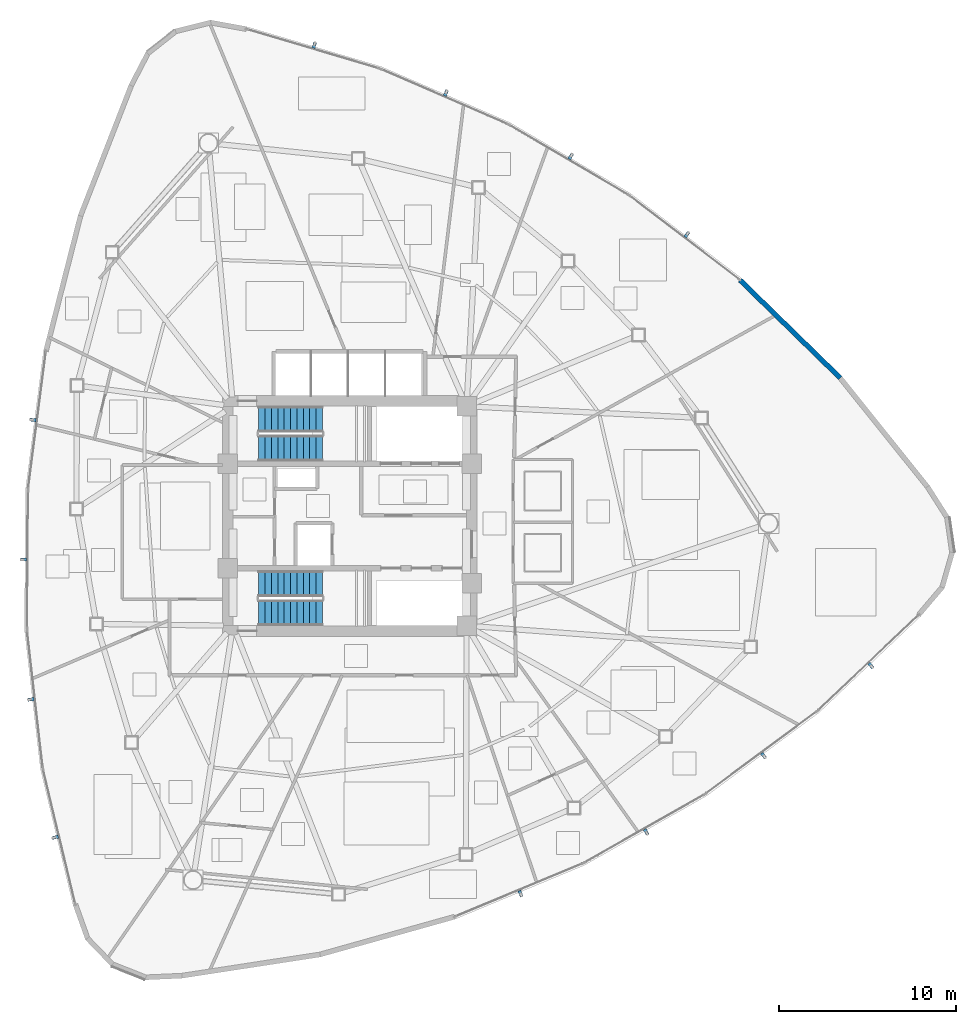
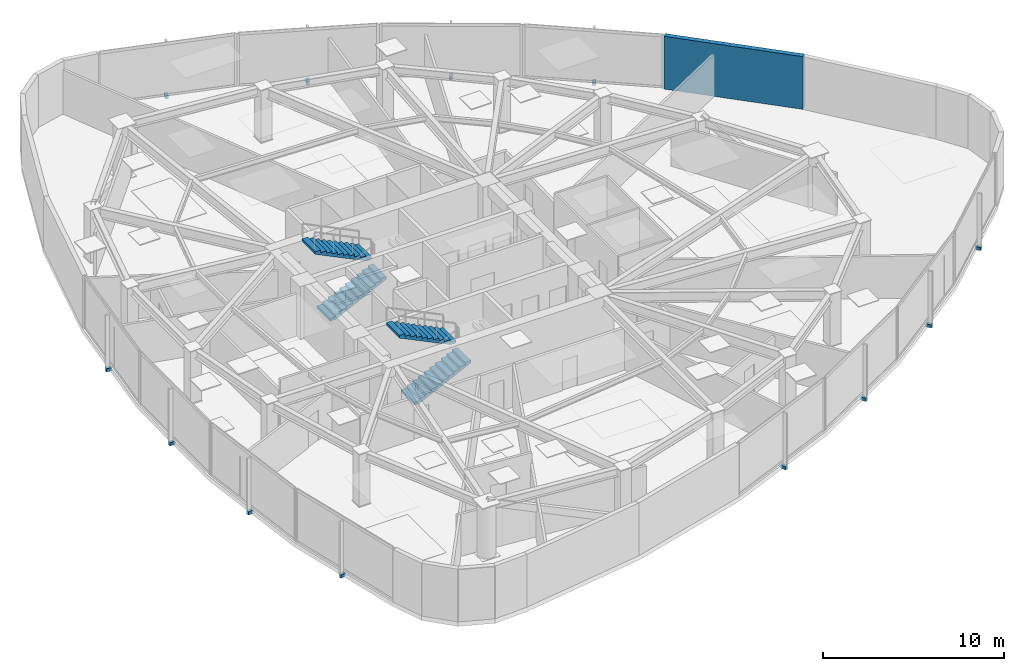
# One storey, part 13 of 17: 12 discrete accessories, 4 stair flights, 1 wall, 2 elements without a shape of their own.
"""IFC4 building model written with IfcOpenShell, lengths in metres."""

from ifc_helpers import new_model, si_unit, direction, frame, frame_2d, origin, origin_2d, place, context, subcontext, project, spatial, polyline, rectangle, outline, extrude, source, transform, mapped, material, layer, layer_set, type_object, type_shapes, element, aggregate, save


model = new_model("IFC4")

# Units and contexts
model_context = context("Model", 3, precision=1e-05, world=origin(), true_north=direction((0.0, 1.0)))
body_context = subcontext(model_context, "Body", "Model", "MODEL_VIEW")
ifc_project = project(units=[si_unit("LENGTHUNIT", "METRE"), si_unit("AREAUNIT", "SQUARE_METRE"), si_unit("VOLUMEUNIT", "CUBIC_METRE"), si_unit("PLANEANGLEUNIT", "RADIAN"), si_unit("MASSUNIT", "GRAM", prefix="KILO")], contexts=[model_context])

# Site, building, storey
site_placement = place(None, origin())
site = spatial("IfcSite", under=ifc_project, at=site_placement, CompositionType="ELEMENT")
building_placement = place(site_placement, origin())
building = spatial("IfcBuilding", under=site, at=building_placement, Name="Tavelor Broadcast Tower", CompositionType="ELEMENT")
storey_placement = place(building_placement, frame((0.0, 0.0, 142.550048828125)))
storey = spatial("IfcBuildingStorey", under=building, at=storey_placement, Name="L33", CompositionType="ELEMENT", Elevation=142.550048828125)

# Wall
ifc_material_1 = material(Name="Precast Concrete C40/50", Category="concrete")
ifc_layer = layer(ifc_material_1, 0.280029296875)
ifc_layer_set = layer_set([ifc_layer], Name="Precast Concrete C40/50")
wall_type = type_object("IfcWallType", Name="Insulated Precast Terracotta Facade Wall 280 mm", PredefinedType="STANDARD", material=ifc_layer_set)
wall_placement = place(storey_placement, frame((77.7265625, 52.801025390625, 0.0), z_axis=(0.0, 0.0, 1.0), x_axis=(-0.715379403728, 0.698736222563, 0.0)))
element("IfcWall", 1, at=wall_placement, inside=storey, type_object=wall_type, Name="L33 Rounded Corner Structural Cladding Pier 26", PredefinedType="STANDARD", context=body_context, shape_type="SweptSolid", body=[
    extrude(rectangle(XDim=7.92138671875, YDim=0.280029296875, at=frame_2d((3.960693359375, 0.0))), origin(), (0.0, 0.0, 1.0), 3.550048828125),
])

# Stair, stair flights
ifc_material_2 = material(Name="Concrete C40/50", Category="concrete")
stair_type = type_object("IfcStairType", Name="Reinforced Concrete Protected Dogleg Stair 1450 mm", PredefinedType="HALF_TURN_STAIR", material=ifc_material_2)
stair_1_placement = place(storey_placement, origin())
stair_1 = element("IfcStair", 2, at=stair_1_placement, inside=storey, type_object=stair_type, Name="L33 Protected Core Exit Stair ST1", PredefinedType="HALF_TURN_STAIR")
stair_flight_type = type_object("IfcStairFlightType", Name="Reinforced Concrete Stair Flight 1450 mm", PredefinedType="STRAIGHT", material=ifc_material_2)
stair_flight_1_placement = place(storey_placement, frame((44.85009765625, 48.824951171875, 0.0), z_axis=(0.0, 0.0, 1.0), x_axis=(1.0, 0.0, 0.0)))
stair_flight_1 = element("IfcStairFlight", 3, at=stair_flight_1_placement, type_object=stair_flight_type, Name="ST1 flight 1", NumberOfRisers=11, NumberOfTreads=10, PredefinedType="STRAIGHT", RiserHeight=0.175, TreadLength=0.36, context=body_context, shape_type="SweptSolid", body=[
    extrude(outline(polyline([(0.0, 0.0), (0.0, 0.175048828125), (0.360107421875, 0.175048828125), (0.360107421875, 0.35009765625), (0.719970703125, 0.35009765625), (0.719970703125, 0.52490234375), (1.080078125, 0.52490234375), (1.080078125, 0.699951171875), (1.43994140625, 0.699951171875), (1.43994140625, 0.875), (1.800048828125, 0.875), (1.800048828125, 1.050048828125), (2.159912109375, 1.050048828125), (2.159912109375, 1.22509765625), (2.52001953125, 1.22509765625), (2.52001953125, 1.39990234375), (2.8798828125, 1.39990234375), (2.8798828125, 1.574951171875), (3.239990234375, 1.574951171875), (3.239990234375, 1.75), (3.60009765625, 1.75), (3.60009765625, 1.925048828125), (3.60009765625, 1.583251953125), (0.3427734375, 0.0), (0.0, 0.0)])), frame((0.0, 0.72509765625, 0.0), z_axis=(0.0, -1.0, 0.0), x_axis=(1.0, 0.0, 0.0)), (0.0, 0.0, 1.0), 1.449951171875),
])
stair_flight_2_placement = place(storey_placement, frame((48.449951171875, 50.47509765625, 1.925048828125), z_axis=(0.0, 0.0, 1.0), x_axis=(-1.0, 0.0, 0.0)))
stair_flight_2 = element("IfcStairFlight", 4, at=stair_flight_2_placement, type_object=stair_flight_type, Name="ST1 flight 2", NumberOfRisers=11, NumberOfTreads=10, PredefinedType="STRAIGHT", RiserHeight=0.175, TreadLength=0.36, context=body_context, shape_type="SweptSolid", body=[
    extrude(outline(polyline([(0.0, 0.0), (0.0, 0.175048828125), (0.360107421875, 0.175048828125), (0.360107421875, 0.35009765625), (0.719970703125, 0.35009765625), (0.719970703125, 0.52490234375), (1.080078125, 0.52490234375), (1.080078125, 0.699951171875), (1.43994140625, 0.699951171875), (1.43994140625, 0.875), (1.800048828125, 0.875), (1.800048828125, 1.050048828125), (2.159912109375, 1.050048828125), (2.159912109375, 1.22509765625), (2.52001953125, 1.22509765625), (2.52001953125, 1.39990234375), (2.8798828125, 1.39990234375), (2.8798828125, 1.574951171875), (3.239990234375, 1.574951171875), (3.239990234375, 1.75), (3.60009765625, 1.75), (3.60009765625, 1.925048828125), (3.60009765625, 1.583251953125), (0.3427734375, 0.0), (0.0, 0.0)])), frame((0.0, 0.72509765625, 0.0), z_axis=(0.0, -1.0, 0.0), x_axis=(1.0, 0.0, 0.0)), (0.0, 0.0, 1.0), 1.449951171875),
])
aggregate(stair_1, [stair_flight_1, stair_flight_2])

stair_2_placement = place(storey_placement, origin())
stair_2 = element("IfcStair", 5, at=stair_2_placement, inside=storey, type_object=stair_type, Name="L33 Protected Core Exit Stair ST2", PredefinedType="HALF_TURN_STAIR")
stair_flight_3_placement = place(storey_placement, frame((44.85009765625, 39.52490234375, 0.0), z_axis=(0.0, 0.0, 1.0), x_axis=(1.0, 0.0, 0.0)))
stair_flight_3 = element("IfcStairFlight", 6, at=stair_flight_3_placement, type_object=stair_flight_type, Name="ST2 flight 1", NumberOfRisers=11, NumberOfTreads=10, PredefinedType="STRAIGHT", RiserHeight=0.175, TreadLength=0.36, context=body_context, shape_type="SweptSolid", body=[
    extrude(outline(polyline([(0.0, 0.0), (0.0, 0.175048828125), (0.360107421875, 0.175048828125), (0.360107421875, 0.35009765625), (0.719970703125, 0.35009765625), (0.719970703125, 0.52490234375), (1.080078125, 0.52490234375), (1.080078125, 0.699951171875), (1.43994140625, 0.699951171875), (1.43994140625, 0.875), (1.800048828125, 0.875), (1.800048828125, 1.050048828125), (2.159912109375, 1.050048828125), (2.159912109375, 1.22509765625), (2.52001953125, 1.22509765625), (2.52001953125, 1.39990234375), (2.8798828125, 1.39990234375), (2.8798828125, 1.574951171875), (3.239990234375, 1.574951171875), (3.239990234375, 1.75), (3.60009765625, 1.75), (3.60009765625, 1.925048828125), (3.60009765625, 1.583251953125), (0.3427734375, 0.0), (0.0, 0.0)])), frame((0.0, 0.72509765625, 0.0), z_axis=(0.0, -1.0, 0.0), x_axis=(1.0, 0.0, 0.0)), (0.0, 0.0, 1.0), 1.449951171875),
])
stair_flight_4_placement = place(storey_placement, frame((48.449951171875, 41.175048828125, 1.925048828125), z_axis=(0.0, 0.0, 1.0), x_axis=(-1.0, 0.0, 0.0)))
stair_flight_4 = element("IfcStairFlight", 7, at=stair_flight_4_placement, type_object=stair_flight_type, Name="ST2 flight 2", NumberOfRisers=11, NumberOfTreads=10, PredefinedType="STRAIGHT", RiserHeight=0.175, TreadLength=0.36, context=body_context, shape_type="SweptSolid", body=[
    extrude(outline(polyline([(0.0, 0.0), (0.0, 0.175048828125), (0.360107421875, 0.175048828125), (0.360107421875, 0.35009765625), (0.719970703125, 0.35009765625), (0.719970703125, 0.52490234375), (1.080078125, 0.52490234375), (1.080078125, 0.699951171875), (1.43994140625, 0.699951171875), (1.43994140625, 0.875), (1.800048828125, 0.875), (1.800048828125, 1.050048828125), (2.159912109375, 1.050048828125), (2.159912109375, 1.22509765625), (2.52001953125, 1.22509765625), (2.52001953125, 1.39990234375), (2.8798828125, 1.39990234375), (2.8798828125, 1.574951171875), (3.239990234375, 1.574951171875), (3.239990234375, 1.75), (3.60009765625, 1.75), (3.60009765625, 1.925048828125), (3.60009765625, 1.583251953125), (0.3427734375, 0.0), (0.0, 0.0)])), frame((0.0, 0.72509765625, 0.0), z_axis=(0.0, -1.0, 0.0), x_axis=(1.0, 0.0, 0.0)), (0.0, 0.0, 1.0), 1.449951171875),
])
aggregate(stair_2, [stair_flight_3, stair_flight_4])

# Discrete accessories
ifc_material_3 = material(Name="Steel S355", Category="steel")
discrete_accessory_type = type_object("IfcDiscreteAccessoryType", Name="Stainless Baguette Outrigger Support Bracket 260x180", PredefinedType="BRACKET", material=ifc_material_3)
shared_shape = source(origin(), body_context, "Body", "SweptSolid", [
    extrude(rectangle(XDim=0.179931640625, YDim=0.340087890625, at=origin_2d()), origin(), (0.0, 0.0, 1.0), 0.216064453125),
])
type_shapes(discrete_accessory_type, [shared_shape])
for number, where, z_axis, x_axis, name in (
    (8, (32.096435546875, 50.432373046875, -0.25830078125), (0.0, 0.0, 1.0), (-0.1284494302, -0.991716060111, 0.0), "L33 Baguette Outrigger Bracket 325"),
    (9, (31.55810546875, 42.5361328125, -0.25830078125), (0.0, 0.0, 1.0), (-0.007330317209, -0.999973132864, 0.0), "L33 Baguette Outrigger Bracket 326"),
    (10, (31.9794921875, 34.633056640625, -0.25830078125), (0.0, 0.0, 1.0), (0.113723431234, -0.993512446418, 0.0), "L33 Baguette Outrigger Bracket 327"),
    (11, (33.35400390625, 26.8388671875, -0.25830078125), (0.0, 0.0, 1.0), (0.233105928507, -0.97245134896, 0.0), "L33 Baguette Outrigger Bracket 328"),
    (12, (59.647216796875, 23.6611328125, -0.25830078125), (0.0, 0.0, 1.0), (0.923076016497, 0.3846175604, 0.0), "L33 Baguette Outrigger Bracket 329"),
    (13, (66.75439453125, 27.14306640625, -0.25830078125), (0.0, 0.0, 1.0), (0.869667294767, 0.493638325511, 0.0), "L33 Baguette Outrigger Bracket 330"),
    (14, (73.388427734375, 31.45947265625, -0.25830078125), (0.0, 0.0, 1.0), (0.803545301958, 0.595243603663, 0.0), "L33 Baguette Outrigger Bracket 331"),
    (15, (79.451171875, 36.546875, -0.25830078125), (0.0, 0.0, 1.0), (0.72561460789, 0.68810133034, 0.0), "L33 Baguette Outrigger Bracket 332"),
    (16, (69.056396484375, 60.906494140625, -0.25830078125), (0.0, 0.0, 1.0), (-0.794626586297, 0.60709849971, 0.0), "L33 Baguette Outrigger Bracket 333"),
    (17, (62.4873046875, 65.320556640625, -0.25830078125), (0.0, 0.0, 1.0), (-0.862336977557, 0.506334807353, 0.0), "L33 Baguette Outrigger Bracket 334"),
    (18, (55.43212890625, 68.907470703125, -0.25830078125), (0.0, 0.0, 1.0), (-0.917268733191, 0.398268842755, 0.0), "L33 Baguette Outrigger Bracket 335"),
    (19, (47.9951171875, 71.6142578125, -0.25830078125), (0.0, 0.0, 1.0), (-0.958720536398, 0.28435001862, 0.0), "L33 Baguette Outrigger Bracket 336"),
):
    element("IfcDiscreteAccessory", number, at=place(storey_placement, frame(where, z_axis=z_axis, x_axis=x_axis)), inside=storey, type_object=discrete_accessory_type, Name=name, PredefinedType="BRACKET", context=body_context, shape_type="MappedRepresentation", body=[
        mapped(shared_shape, transform((0.0, 0.0, 0.0), scale=1.0)),
    ])

save(model, "model.ifc")
